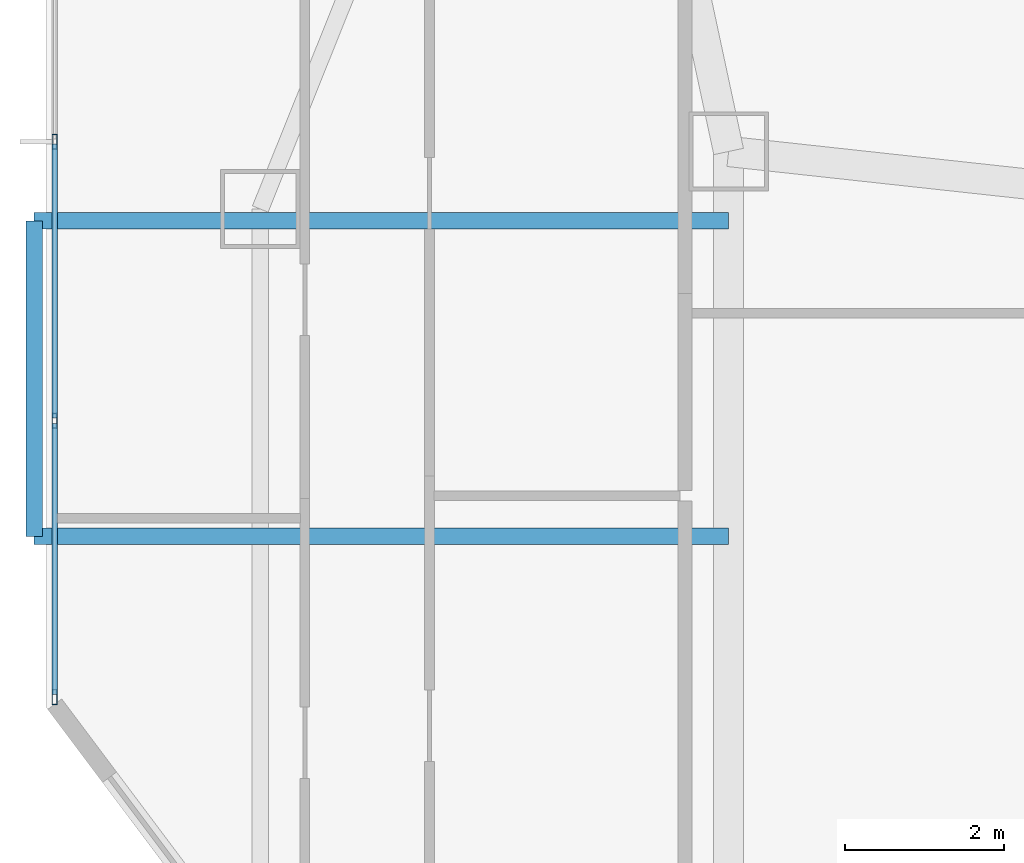
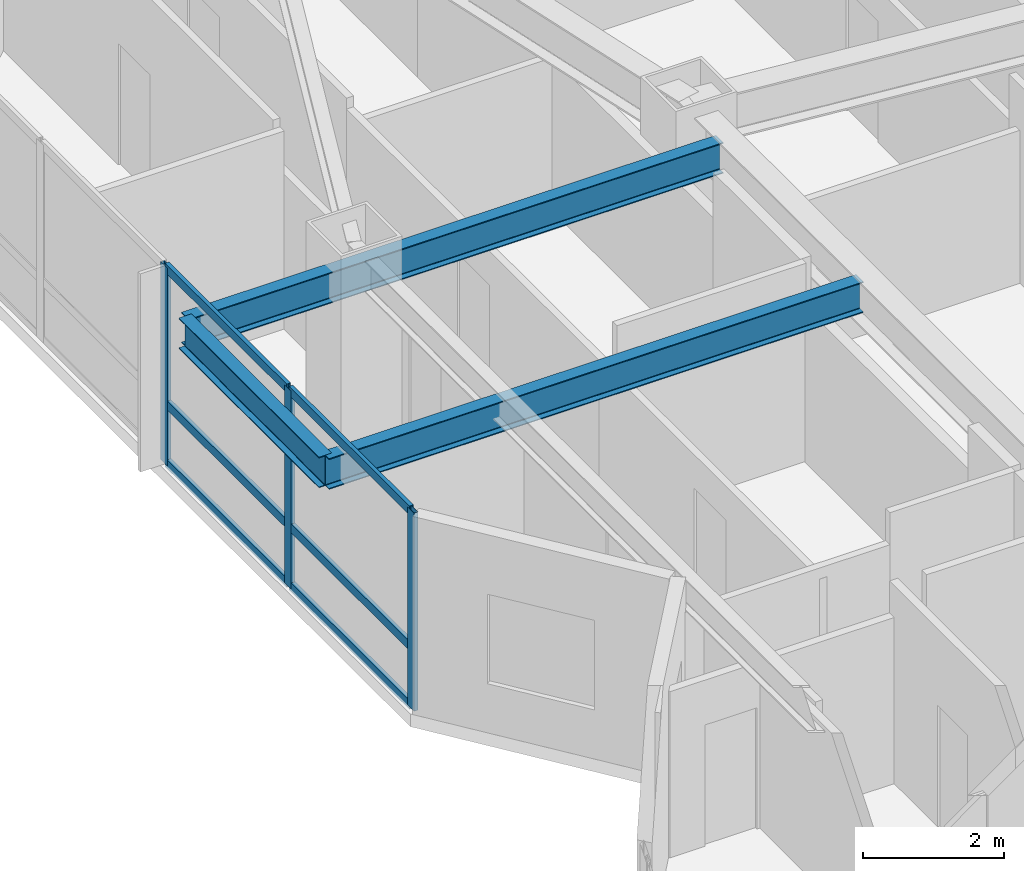
# One storey, part 8 of 21: 9 members, 3 beams, 1 element without a shape of its own.
"""IFC4 building model written with IfcOpenShell, lengths in metres."""

import ifcopenshell
import ifcopenshell.guid

model = None  # the IFC model being written
_history = None  # IfcOwnerHistory: only IFC2X3 demands one
_inside = {}  # id of a spatial element -> (the spatial element, [elements in it])
_under = {}  # id of a project, library or spatial element -> (it, [spatial elements below it])
_declared = {}  # id of a project -> (the project, [libraries it declares])
_typed = {}  # id of a type object -> (the type object, [elements of that type])
_made_of = {}  # id of a material, layer set ... -> (it, [elements and type objects made of it])


def new_model(schema):
    """Start an empty IFC model of exactly this schema.

    Asked for "IFC4X3", IfcOpenShell would pick the latest addendum, in which some entities
    have other attributes; the version numbers below select the first issue.
    IFC2X3 requires an IfcOwnerHistory on every rooted entity: one is made here for all.
    """
    global model, _history
    if schema == "IFC4X3":
        model = ifcopenshell.file(schema_version=(4, 3, 0, 0))
    else:
        model = ifcopenshell.file(schema=schema)
    _inside.clear()
    _under.clear()
    _declared.clear()
    _typed.clear()
    _made_of.clear()
    _history = None
    if model.schema == "IFC2X3":
        org = make("IfcOrganization", Name="unknown")
        user = make(
            "IfcPersonAndOrganization",
            ThePerson=make("IfcPerson", FamilyName="unknown"),
            TheOrganization=org,
        )
        app = make(
            "IfcApplication",
            ApplicationDeveloper=org,
            Version="unknown",
            ApplicationFullName="unknown",
            ApplicationIdentifier="unknown",
        )
        _history = make(
            "IfcOwnerHistory",
            OwningUser=user,
            OwningApplication=app,
            ChangeAction="ADDED",
            CreationDate=0,
        )
    return model


def make(cls, **values):
    """One entity of the class cls with the attributes given. An attribute that is None is left unset."""
    return model.create_entity(
        cls, **{name: value for name, value in values.items() if value is not None}
    )


def rooted(cls, **values):
    """An entity with a GlobalId (a new one), such as an element, a storey or a relation."""
    return make(cls, GlobalId=ifcopenshell.guid.new(), OwnerHistory=_history, **values)


def si_unit(unit_type, name, prefix=None):
    """IfcSIUnit, for example si_unit("LENGTHUNIT", "METRE", prefix="MILLI")."""
    return make("IfcSIUnit", UnitType=unit_type, Prefix=prefix, Name=name)


def assignment(units):
    """IfcUnitAssignment: the units of a project."""
    return None if units is None else make("IfcUnitAssignment", Units=units)


def point(xyz):
    """IfcCartesianPoint."""
    return None if xyz is None else make("IfcCartesianPoint", Coordinates=xyz)


def direction(xyz):
    """IfcDirection."""
    return None if xyz is None else make("IfcDirection", DirectionRatios=xyz)


def frame(location, z_axis=None, x_axis=None):
    """IfcAxis2Placement3D, a coordinate frame: its origin and axes. An axis left out is left unset."""
    return make(
        "IfcAxis2Placement3D",
        Location=point(location),
        Axis=direction(z_axis),
        RefDirection=direction(x_axis),
    )


def frame_2d(location, x_axis=None):
    """IfcAxis2Placement2D, a coordinate frame in the plane: its origin and x axis."""
    return make(
        "IfcAxis2Placement2D", Location=point(location), RefDirection=direction(x_axis)
    )


def origin():
    """The frame at (0, 0, 0) with its axes left unset."""
    return frame((0.0, 0.0, 0.0))


def origin_2d():
    """The frame at (0, 0) in the plane with its x axis left unset."""
    return frame_2d((0.0, 0.0))


def place(relative_to, where):
    """IfcLocalPlacement: puts the frame where relative to a parent placement (None: the world)."""
    return make(
        "IfcLocalPlacement", PlacementRelTo=relative_to, RelativePlacement=where
    )


def context(
    kind, dimensions, precision=None, world=None, true_north=None, identifier=None
):
    """IfcGeometricRepresentationContext, for example the 3D "Model" context."""
    return make(
        "IfcGeometricRepresentationContext",
        ContextIdentifier=identifier,
        ContextType=kind,
        CoordinateSpaceDimension=dimensions,
        Precision=precision,
        WorldCoordinateSystem=world,
        TrueNorth=true_north,
    )


def subcontext(parent, identifier, kind, view, scale=None):
    """IfcGeometricRepresentationSubContext, for example "Body" below "Model"."""
    return make(
        "IfcGeometricRepresentationSubContext",
        ContextIdentifier=identifier,
        ContextType=kind,
        ParentContext=parent,
        TargetScale=scale,
        TargetView=view,
    )


def project(units=None, contexts=None):
    """IfcProject with its units and contexts."""
    return rooted(
        "IfcProject",
        Name="project",
        RepresentationContexts=contexts,
        UnitsInContext=assignment(units),
    )


def spatial(cls, under=None, at=None, **own):
    """A site, building, storey or space (cls), placed at a placement, below another one or the project."""
    s = rooted(cls, ObjectPlacement=at, **own)
    if under is not None:
        _under.setdefault(under.id(), (under, []))[1].append(s)
    return s


def profile(cls, at=None, kind="AREA", **sizes):
    """A parametric profile (cls). Its sizes go by their IFC names, for example OverallWidth=200.0."""
    return make(cls, ProfileType=kind, Position=at, **sizes)


def hollow_rectangle(**sizes):
    """IfcRectangleHollowProfileDef."""
    return profile("IfcRectangleHollowProfileDef", **sizes)


def i_section(**sizes):
    """IfcIShapeProfileDef."""
    return profile("IfcIShapeProfileDef", **sizes)


def extrude(swept, where, along, depth):
    """IfcExtrudedAreaSolid: the profile swept, set in the frame where, extruded along a direction by depth."""
    return make(
        "IfcExtrudedAreaSolid",
        SweptArea=swept,
        Position=where,
        ExtrudedDirection=direction(along),
        Depth=depth,
    )


def shape(context_of_items, identifier, shape_type, items):
    """IfcShapeRepresentation: the items that make up one representation, for example the "Body"."""
    return make(
        "IfcShapeRepresentation",
        ContextOfItems=context_of_items,
        RepresentationIdentifier=identifier,
        RepresentationType=shape_type,
        Items=items,
    )


def material(Name=None, Category=None):
    """IfcMaterial."""
    return make("IfcMaterial", Name=Name, Category=Category)


def material_profile(
    of_material, cross_section, Name=None, Category=None, Priority=None
):
    """IfcMaterialProfile: a cross section and its material."""
    return make(
        "IfcMaterialProfile",
        Name=Name,
        Material=of_material,
        Profile=cross_section,
        Priority=Priority,
        Category=Category,
    )


def profile_set(profiles, Name=None, composite=None):
    """IfcMaterialProfileSet."""
    return make(
        "IfcMaterialProfileSet",
        Name=Name,
        MaterialProfiles=profiles,
        CompositeProfile=composite,
    )


def made_of(thing, what):
    """Note that an element or type object is made of a material, layer set ...; save() writes the relation."""
    if what is not None:
        _made_of.setdefault(what.id(), (what, []))[1].append(thing)
    return thing


def type_object(cls, material=None, **own):
    """A type object (cls), such as IfcWallType, which elements share."""
    return made_of(rooted(cls, **own), material)


def element(
    cls,
    number,
    at=None,
    inside=None,
    cuts=None,
    type_object=None,
    material=None,
    context=None,
    identifier="Body",
    shape_type=None,
    held_by="IfcProductDefinitionShape",
    body=None,
    shapes=None,
    **own,
):
    """One element of the class cls, such as IfcWall. Its Tag is "e" and its number.

    at: its placement. inside: the storey or other place that contains it. cuts: it is an
    opening in that element (IfcRelVoidsElement). A single representation is given by context,
    identifier, shape_type and body (its items); several are given by shapes. held_by: the class
    of the entity that holds the representations. save() writes the other relations.
    """
    e = rooted(cls, Tag="e%d" % number, ObjectPlacement=at, **own)
    if body is not None:
        shapes = [shape(context, identifier, shape_type, body)]
    if shapes is not None:
        e.Representation = make(held_by, Representations=shapes)
    if inside is not None:
        _inside.setdefault(inside.id(), (inside, []))[1].append(e)
    if cuts is not None:
        rooted(
            "IfcRelVoidsElement", RelatingBuildingElement=cuts, RelatedOpeningElement=e
        )
    if type_object is not None:
        _typed.setdefault(type_object.id(), (type_object, []))[1].append(e)
    return made_of(e, material)


def aggregate(whole, parts):
    """IfcRelAggregates: a whole, such as a stair, and the parts it consists of."""
    return rooted("IfcRelAggregates", RelatingObject=whole, RelatedObjects=parts)


def save(model, path):
    """Write the relations noted so far, then the file.

    IfcRelAggregates (storeys below a building ...), IfcRelContainedInSpatialStructure (elements
    in a storey), IfcRelDefinesByType, IfcRelAssociatesMaterial and IfcRelDeclares: one each for
    every whole, place, type object, material and project.
    """
    for whole, parts in _under.values():
        aggregate(whole, parts)
    for where, things in _inside.values():
        rooted(
            "IfcRelContainedInSpatialStructure",
            RelatedElements=things,
            RelatingStructure=where,
        )
    for kind, things in _typed.values():
        rooted("IfcRelDefinesByType", RelatedObjects=things, RelatingType=kind)
    for what, things in _made_of.values():
        rooted("IfcRelAssociatesMaterial", RelatedObjects=things, RelatingMaterial=what)
    for by, libraries in _declared.values():
        rooted("IfcRelDeclares", RelatingContext=by, RelatedDefinitions=libraries)
    model.write(path)


model = new_model("IFC4")

# Units and contexts
model_context = context("Model", 3, precision=1e-05, world=origin(), true_north=direction((0.0, 1.0)))
body_context = subcontext(model_context, "Body", "Model", "MODEL_VIEW")
ifc_project = project(units=[si_unit("LENGTHUNIT", "METRE"), si_unit("AREAUNIT", "SQUARE_METRE"), si_unit("VOLUMEUNIT", "CUBIC_METRE"), si_unit("PLANEANGLEUNIT", "RADIAN"), si_unit("MASSUNIT", "GRAM", prefix="KILO")], contexts=[model_context])

# Site, building, storey
site_placement = place(None, origin())
site = spatial("IfcSite", under=ifc_project, at=site_placement, CompositionType="ELEMENT")
building_placement = place(site_placement, origin())
building = spatial("IfcBuilding", under=site, at=building_placement, Name="Khamvora Tower", CompositionType="ELEMENT")
storey_placement = place(building_placement, frame((0.0, 0.0, 98.25)))
storey = spatial("IfcBuildingStorey", under=building, at=storey_placement, Name="L24", CompositionType="ELEMENT", Elevation=98.25)

# Beams
ifc_material_1 = material(Name="Steel S355", Category="steel")
ifc_material_profile_1 = material_profile(ifc_material_1, i_section(OverallWidth=0.208984375, OverallDepth=0.532958984375, WebThickness=0.010009765625, FlangeThickness=0.01611328125, FilletRadius=0.013916015625, at=origin_2d()), Name="W530x92")
ifc_profile_set_1 = profile_set([ifc_material_profile_1], Name="Steel S355")
beam_type = type_object("IfcBeamType", Name="BM-SP-W530x92", PredefinedType="SPANDREL", material=ifc_profile_set_1)
for number, where, z_axis, x_axis, name in (
    (1, (18.0, 33.35009765625, 2.964111328125), (-1.0, 0.0, 0.0), (0.0, -1.0, 0.0), "L24 continuous gallery cantilever girder L25-WL2-1"),
    (2, (18.0, 37.324951171875, 2.964111328125), (-1.0, 0.0, 0.0), (0.0, -1.0, 0.0), "L24 continuous gallery cantilever girder L25-WL2-2"),
):
    element("IfcBeam", number, at=place(storey_placement, frame(where, z_axis=z_axis, x_axis=x_axis)), inside=storey, type_object=beam_type, Name=name, PredefinedType="SPANDREL", context=body_context, shape_type="SweptSolid", body=[
        extrude(i_section(OverallWidth=0.208984375, OverallDepth=0.532958984375, WebThickness=0.010009765625, FlangeThickness=0.01611328125, FilletRadius=0.013916015625, at=origin_2d()), origin(), (0.0, 0.0, 1.0), 8.75),
    ])
beam_placement = place(storey_placement, frame((9.25, 33.35009765625, 2.964111328125), z_axis=(0.0, 1.0, 0.0), x_axis=(-1.0, 0.0, 0.0)))
element("IfcBeam", 3, at=beam_placement, inside=storey, type_object=beam_type, Name="L24 external gallery edge header beam L25-WL2", PredefinedType="SPANDREL", context=body_context, shape_type="SweptSolid", body=[
    extrude(i_section(OverallWidth=0.208984375, OverallDepth=0.532958984375, WebThickness=0.010009765625, FlangeThickness=0.01611328125, FilletRadius=0.013916015625, at=origin_2d()), origin(), (0.0, 0.0, 1.0), 3.974853515625),
])

# Curtain wall, members
ifc_material_2 = material(Name="Anodised Aluminium 6063-T6", Category="aluminium")
curtain_wall_type = type_object("IfcCurtainWallType", Name="CW-SYS-03", PredefinedType="NOTDEFINED", material=ifc_material_2)
curtain_wall_placement = place(storey_placement, origin())
curtain_wall = element("IfcCurtainWall", 4, at=curtain_wall_placement, inside=storey, type_object=curtain_wall_type, Name="L24 stick curtain wall 05.1", PredefinedType="NOTDEFINED")
ifc_material_profile_2 = material_profile(ifc_material_2, hollow_rectangle(XDim=0.06494140625, YDim=0.18994140625, WallThickness=0.0048828125, at=origin_2d()), Name="MUL65x190x5")
ifc_profile_set_2 = profile_set([ifc_material_profile_2], Name="Anodised Aluminium 6063-T6")
member_type_1 = type_object("IfcMemberType", Name="CW-SYS-03-MUL", PredefinedType="MULLION", material=ifc_profile_set_2)
member_1_placement = place(storey_placement, frame((9.510009765625, 31.325439453125, 0.0), z_axis=(0.0, 0.0, 1.0), x_axis=(-1.0, 0.0, 0.0)))
member_1 = element("IfcMember", 5, at=member_1_placement, type_object=member_type_1, Name="CW-03 mullion 1", PredefinedType="MULLION", context=body_context, shape_type="SweptSolid", body=[
    extrude(hollow_rectangle(XDim=0.06494140625, YDim=0.18994140625, WallThickness=0.0048828125, at=origin_2d()), origin(), (0.0, 0.0, 1.0), 3.429931640625),
])
member_2_placement = place(storey_placement, frame((9.510009765625, 34.808349609375, 0.0), z_axis=(0.0, 0.0, 1.0), x_axis=(-1.0, 0.0, 0.0)))
member_2 = element("IfcMember", 6, at=member_2_placement, type_object=member_type_1, Name="CW-03 mullion 2", PredefinedType="MULLION", context=body_context, shape_type="SweptSolid", body=[
    extrude(hollow_rectangle(XDim=0.06494140625, YDim=0.18994140625, WallThickness=0.0048828125, at=origin_2d()), origin(), (0.0, 0.0, 1.0), 3.429931640625),
])
member_3_placement = place(storey_placement, frame((9.510009765625, 38.323486328125, 0.0), z_axis=(0.0, 0.0, 1.0), x_axis=(-1.0, 0.0, 0.0)))
member_3 = element("IfcMember", 7, at=member_3_placement, type_object=member_type_1, Name="CW-03 mullion 3", PredefinedType="MULLION", context=body_context, shape_type="SweptSolid", body=[
    extrude(hollow_rectangle(XDim=0.06494140625, YDim=0.18994140625, WallThickness=0.0048828125, at=origin_2d()), origin(), (0.0, 0.0, 1.0), 3.429931640625),
])
ifc_material_profile_3 = material_profile(ifc_material_2, hollow_rectangle(XDim=0.06494140625, YDim=0.155029296875, WallThickness=0.0048828125, at=origin_2d()), Name="TRN65x155x5")
ifc_profile_set_3 = profile_set([ifc_material_profile_3], Name="Anodised Aluminium 6063-T6")
member_type_2 = type_object("IfcMemberType", Name="CW-SYS-03-TRN", PredefinedType="USERDEFINED", material=ifc_profile_set_3)
member_4_placement = place(storey_placement, frame((9.510009765625, 31.35791015625, 0.032470703125), z_axis=(0.0, 1.0, 0.0), x_axis=(-1.0, 0.0, 0.0)))
member_4 = element("IfcMember", 8, at=member_4_placement, type_object=member_type_2, Name="CW-03 transom 1.1", ObjectType="TRANSOM", PredefinedType="USERDEFINED", context=body_context, shape_type="SweptSolid", body=[
    extrude(hollow_rectangle(XDim=0.06494140625, YDim=0.155029296875, WallThickness=0.0048828125, at=origin_2d()), origin(), (0.0, 0.0, 1.0), 3.417724609375),
])
member_5_placement = place(storey_placement, frame((9.510009765625, 31.35791015625, 1.050048828125), z_axis=(0.0, 1.0, 0.0), x_axis=(-1.0, 0.0, 0.0)))
member_5 = element("IfcMember", 9, at=member_5_placement, type_object=member_type_2, Name="CW-03 transom 1.2", ObjectType="TRANSOM", PredefinedType="USERDEFINED", context=body_context, shape_type="SweptSolid", body=[
    extrude(hollow_rectangle(XDim=0.06494140625, YDim=0.155029296875, WallThickness=0.0048828125, at=origin_2d()), origin(), (0.0, 0.0, 1.0), 3.417724609375),
])
member_6_placement = place(storey_placement, frame((9.510009765625, 31.35791015625, 3.3974609375), z_axis=(0.0, 1.0, 0.0), x_axis=(-1.0, 0.0, 0.0)))
member_6 = element("IfcMember", 10, at=member_6_placement, type_object=member_type_2, Name="CW-03 transom 1.3", ObjectType="TRANSOM", PredefinedType="USERDEFINED", context=body_context, shape_type="SweptSolid", body=[
    extrude(hollow_rectangle(XDim=0.06494140625, YDim=0.155029296875, WallThickness=0.0048828125, at=origin_2d()), origin(), (0.0, 0.0, 1.0), 3.417724609375),
])
member_7_placement = place(storey_placement, frame((9.510009765625, 34.8408203125, 0.032470703125), z_axis=(0.0, 1.0, 0.0), x_axis=(-1.0, 0.0, 0.0)))
member_7 = element("IfcMember", 11, at=member_7_placement, type_object=member_type_2, Name="CW-03 transom 2.1", ObjectType="TRANSOM", PredefinedType="USERDEFINED", context=body_context, shape_type="SweptSolid", body=[
    extrude(hollow_rectangle(XDim=0.06494140625, YDim=0.155029296875, WallThickness=0.0048828125, at=origin_2d()), origin(), (0.0, 0.0, 1.0), 3.4501953125),
])
member_8_placement = place(storey_placement, frame((9.510009765625, 34.8408203125, 1.050048828125), z_axis=(0.0, 1.0, 0.0), x_axis=(-1.0, 0.0, 0.0)))
member_8 = element("IfcMember", 12, at=member_8_placement, type_object=member_type_2, Name="CW-03 transom 2.2", ObjectType="TRANSOM", PredefinedType="USERDEFINED", context=body_context, shape_type="SweptSolid", body=[
    extrude(hollow_rectangle(XDim=0.06494140625, YDim=0.155029296875, WallThickness=0.0048828125, at=origin_2d()), origin(), (0.0, 0.0, 1.0), 3.4501953125),
])
member_9_placement = place(storey_placement, frame((9.510009765625, 34.8408203125, 3.3974609375), z_axis=(0.0, 1.0, 0.0), x_axis=(-1.0, 0.0, 0.0)))
member_9 = element("IfcMember", 13, at=member_9_placement, type_object=member_type_2, Name="CW-03 transom 2.3", ObjectType="TRANSOM", PredefinedType="USERDEFINED", context=body_context, shape_type="SweptSolid", body=[
    extrude(hollow_rectangle(XDim=0.06494140625, YDim=0.155029296875, WallThickness=0.0048828125, at=origin_2d()), origin(), (0.0, 0.0, 1.0), 3.4501953125),
])
aggregate(curtain_wall, [member_1, member_2, member_3, member_4, member_5, member_6, member_7, member_8, member_9])

save(model, "model.ifc")
